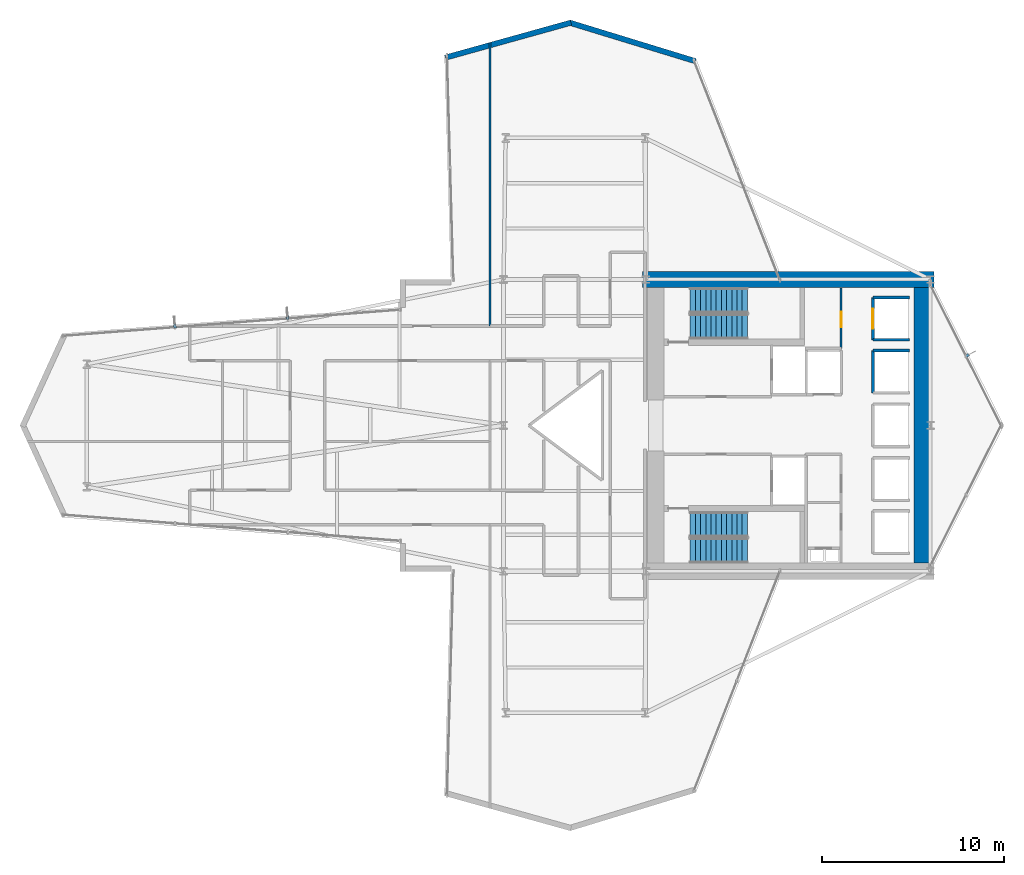
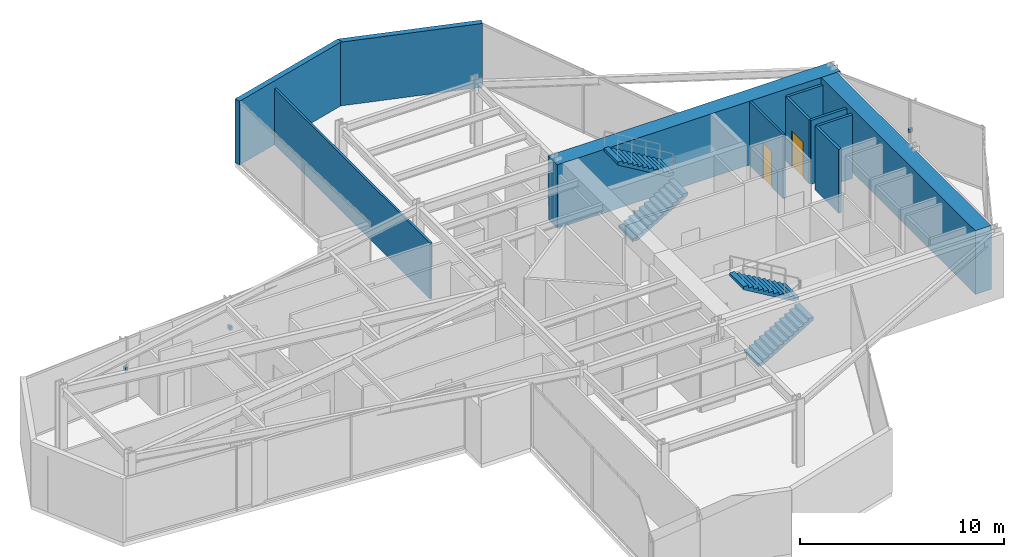
# One storey, part 29 of 30: 11 walls, 4 stair flights, 3 discrete accessories, 2 doors, 2 openings, 2 elements without a shape of their own.
"""IFC4 building model written with IfcOpenShell, lengths in metres."""

from ifc_helpers import new_model, si_unit, direction, frame, frame_2d, origin, origin_2d, place, context, subcontext, project, spatial, polyline, rectangle, outline, extrude, material, layer, layer_set, type_object, element, fill, aggregate, save


model = new_model("IFC4")

# Units and contexts
model_context = context("Model", 3, precision=1e-05, world=origin(), true_north=direction((0.0, 1.0)))
body_context = subcontext(model_context, "Body", "Model", "MODEL_VIEW")
ifc_project = project(units=[si_unit("LENGTHUNIT", "METRE"), si_unit("AREAUNIT", "SQUARE_METRE"), si_unit("VOLUMEUNIT", "CUBIC_METRE"), si_unit("PLANEANGLEUNIT", "RADIAN"), si_unit("MASSUNIT", "GRAM", prefix="KILO")], contexts=[model_context])

# Site, building, storey
site_placement = place(None, origin())
site = spatial("IfcSite", under=ifc_project, at=site_placement, CompositionType="ELEMENT")
building_placement = place(site_placement, origin())
building = spatial("IfcBuilding", under=site, at=building_placement, Name="Veymaron Broadcast Tower", CompositionType="ELEMENT")
storey_placement = place(building_placement, frame((0.0, 0.0, 49.949951171875)))
storey = spatial("IfcBuildingStorey", under=building, at=storey_placement, Name="L10", CompositionType="ELEMENT", Elevation=49.949951171875)

# Walls
ifc_material_1 = material(Name="Precast concrete C40/50 with mineral-wool insulation", Category="concrete")
ifc_layer_1 = layer(ifc_material_1, 0.300048828125)
ifc_layer_set_1 = layer_set([ifc_layer_1], Name="Precast concrete C40/50 with mineral-wool insulation")
wall_type_1 = type_object("IfcWallType", Name="WALL-EXT-300", PredefinedType="STANDARD", material=ifc_layer_set_1)
wall_1_placement = place(storey_placement, frame((41.71142578125, 43.97021484375, 0.0), z_axis=(0.0, 0.0, 1.0), x_axis=(-0.956174816369, 0.292796380685, 0.0)))
element("IfcWall", 1, at=wall_1_placement, inside=storey, type_object=wall_type_1, Name="L10 notched corner facade pier 6-1", PredefinedType="STANDARD", context=body_context, shape_type="SweptSolid", body=[
    extrude(rectangle(XDim=7.212646484375, YDim=0.300048828125, at=frame_2d((3.6064453125, 0.0))), origin(), (0.0, 0.0, 1.0), 3.81005859375),
])
wall_2_placement = place(storey_placement, frame((34.8935546875, 46.0810546875, 0.0), z_axis=(0.0, 0.0, 1.0), x_axis=(-0.963365312104, -0.268192608836, 0.0)))
element("IfcWall", 2, at=wall_2_placement, inside=storey, type_object=wall_type_1, Name="L10 notched corner facade pier 7-1", PredefinedType="STANDARD", context=body_context, shape_type="SweptSolid", body=[
    extrude(rectangle(XDim=7.15869140625, YDim=0.300048828125, at=frame_2d((3.579345703125, 0.0))), origin(), (0.0, 0.0, 1.0), 3.81005859375),
])

# Wall, opening, door
ifc_material_2 = material(Name="Gypsum fireboard and steel stud framing", Category="steel")
ifc_layer_2 = layer(ifc_material_2, 0.14990234375)
ifc_layer_set_2 = layer_set([ifc_layer_2], Name="Gypsum fireboard and steel stud framing")
wall_type_2 = type_object("IfcWallType", Name="WALL-FIRE-150", PredefinedType="PARTITIONING", material=ifc_layer_set_2)
wall_3_placement = place(storey_placement, frame((51.445068359375, 28.68994140625, 0.0), z_axis=(0.0, 0.0, 1.0), x_axis=(0.0, 1.0, 0.0)))
wall_3 = element("IfcWall", 3, at=wall_3_placement, inside=storey, type_object=wall_type_2, Name="L10 partition IW-L10-SHW-PL1", PredefinedType="PARTITIONING", context=body_context, shape_type="SweptSolid", body=[
    extrude(rectangle(XDim=2.320068359375, YDim=0.14990234375, at=frame_2d((1.16015625, 0.0))), origin(), (0.0, 0.0, 1.0), 3.81005859375),
])
opening_1_placement = place(wall_3_placement, frame((0.610107421875, 0.0, 0.0)))
opening_1 = element("IfcOpeningElement", 4, at=opening_1_placement, cuts=wall_3, Name="Opening LD", PredefinedType="OPENING", context=body_context, shape_type="SweptSolid", body=[
    extrude(rectangle(XDim=1.10009765625, YDim=2.14990234375, at=frame_2d((0.550048828125, 1.074951171875))), frame((0.0, 0.0849609375, 0.0), z_axis=(0.0, -1.0, 0.0), x_axis=(1.0, 0.0, 0.0)), (0.0, 0.0, 1.0), 0.169921875),
])
ifc_material_3 = material(Name="Brushed stainless steel AISI 304", Category="steel")
door_type_1 = type_object("IfcDoorType", Name="DOOR-LIFT-1100", OperationType="DOUBLE_DOOR_SLIDING", PredefinedType="DOOR", material=ifc_material_3)
door_1_placement = place(opening_1_placement, frame((1.10009765625, 0.0, 0.0), z_axis=(0.0, 0.0, 1.0), x_axis=(-1.0, 0.0, 0.0)))
door_1 = element("IfcDoor", 5, at=door_1_placement, inside=storey, type_object=door_type_1, Name="L10 door LD-L10-PL1", OperationType="DOUBLE_DOOR_SLIDING", OverallHeight=2.14990234375, OverallWidth=1.10009765625, PredefinedType="DOOR", context=body_context, shape_type="SweptSolid", body=[
    extrude(rectangle(XDim=1.10009765625, YDim=2.14990234375, at=frame_2d((0.550048828125, 1.074951171875))), frame((0.0, 0.02490234375, 0.0), z_axis=(0.0, -1.0, 0.0), x_axis=(1.0, 0.0, 0.0)), (0.0, 0.0, 1.0), 0.050048828125),
])
fill(opening_1, door_1)

# Walls
for number, where, z_axis, x_axis, name in (
    (6, (51.445068359375, 28.68994140625, 0.0), (0.0, 0.0, 1.0), (1.0, 0.0, 0.0), "L10 partition IW-L10-SHS-PL1"),
    (7, (51.445068359375, 31.010009765625, 0.0), (0.0, 0.0, 1.0), (1.0, 0.0, 0.0), "L10 partition IW-L10-SHN-PL1"),
):
    element("IfcWall", number, at=place(storey_placement, frame(where, z_axis=z_axis, x_axis=x_axis)), inside=storey, type_object=wall_type_2, Name=name, PredefinedType="PARTITIONING", context=body_context, shape_type="SweptSolid", body=[
        extrude(rectangle(XDim=2.014892578125, YDim=0.14990234375, at=frame_2d((1.00732421875, 0.0))), origin(), (0.0, 0.0, 1.0), 3.81005859375),
    ])
wall_4_placement = place(storey_placement, frame((51.445068359375, 25.7900390625, 0.0), z_axis=(0.0, 0.0, 1.0), x_axis=(0.0, 1.0, 0.0)))
element("IfcWall", 8, at=wall_4_placement, inside=storey, type_object=wall_type_2, Name="L10 partition IW-L10-SHW-PM1", PredefinedType="PARTITIONING", context=body_context, shape_type="SweptSolid", body=[
    extrude(rectangle(XDim=2.320068359375, YDim=0.14990234375, at=frame_2d((1.16015625, 0.0))), origin(), (0.0, 0.0, 1.0), 3.81005859375),
])
wall_5_placement = place(storey_placement, frame((51.445068359375, 28.110107421875, 0.0), z_axis=(0.0, 0.0, 1.0), x_axis=(1.0, 0.0, 0.0)))
element("IfcWall", 9, at=wall_5_placement, inside=storey, type_object=wall_type_2, Name="L10 partition IW-L10-SHN-PM1", PredefinedType="PARTITIONING", context=body_context, shape_type="SweptSolid", body=[
    extrude(rectangle(XDim=2.014892578125, YDim=0.14990234375, at=frame_2d((1.00732421875, 0.0))), origin(), (0.0, 0.0, 1.0), 3.81005859375),
])

# Wall, opening, door
ifc_material_4 = material(Name="Acoustic gypsum board and galvanized stud", Category="gypsum")
ifc_layer_3 = layer(ifc_material_4, 0.1201171875)
ifc_layer_set_3 = layer_set([ifc_layer_3], Name="Acoustic gypsum board and galvanized stud")
wall_type_3 = type_object("IfcWallType", Name="WALL-PART-120", PredefinedType="PARTITIONING", material=ifc_layer_set_3)
wall_6_placement = place(storey_placement, frame((49.699951171875, 28.219970703125, 0.0), z_axis=(0.0, 0.0, 1.0), x_axis=(0.0, 1.0, 0.0)))
wall_6 = element("IfcWall", 10, at=wall_6_placement, inside=storey, type_object=wall_type_3, Name="L10 partition IW-L10-NM-E", PredefinedType="PARTITIONING", context=body_context, shape_type="SweptSolid", body=[
    extrude(rectangle(XDim=3.300048828125, YDim=0.1201171875, at=frame_2d((1.64990234375, 0.0))), origin(), (0.0, 0.0, 1.0), 3.81005859375),
])
opening_2_placement = place(wall_6_placement, frame((1.14990234375, 0.0, 0.0)))
opening_2 = element("IfcOpeningElement", 11, at=opening_2_placement, cuts=wall_6, Name="Opening ID-WC1", PredefinedType="OPENING", context=body_context, shape_type="SweptSolid", body=[
    extrude(rectangle(XDim=0.85009765625, YDim=2.14990234375, at=frame_2d((0.425048828125, 1.074951171875))), frame((0.0, 0.070068359375, 0.0), z_axis=(0.0, -1.0, 0.0), x_axis=(1.0, 0.0, 0.0)), (0.0, 0.0, 1.0), 0.14013671875),
])
ifc_material_5 = material(Name="Moisture-resistant high-pressure laminate timber", Category="wood")
door_type_2 = type_object("IfcDoorType", Name="DOOR-INT-850", OperationType="NOTDEFINED", PredefinedType="DOOR", material=ifc_material_5)
door_2_placement = place(opening_2_placement, frame((0.85009765625, 0.0, 0.0), z_axis=(0.0, 0.0, 1.0), x_axis=(-1.0, 0.0, 0.0)))
door_2 = element("IfcDoor", 12, at=door_2_placement, inside=storey, type_object=door_type_2, Name="L10 door DR-L10-NMR", OperationType="SINGLE_SWING_LEFT", OverallHeight=2.14990234375, OverallWidth=0.85009765625, PredefinedType="DOOR", context=body_context, shape_type="SweptSolid", body=[
    extrude(rectangle(XDim=0.85009765625, YDim=2.14990234375, at=frame_2d((0.425048828125, 1.074951171875))), frame((0.0, 0.02490234375, 0.0), z_axis=(0.0, -1.0, 0.0), x_axis=(1.0, 0.0, 0.0)), (0.0, 0.0, 1.0), 0.050048828125),
])
fill(opening_2, door_2)

# Walls
wall_7_placement = place(storey_placement, frame((30.458984375, 29.449951171875, 0.0), z_axis=(0.0, 0.0, 1.0), x_axis=(0.0, 1.0, 0.0)))
element("IfcWall", 13, at=wall_7_placement, inside=storey, type_object=wall_type_3, Name="L10 partition IW-L10-P46", PredefinedType="PARTITIONING", context=body_context, shape_type="SweptSolid", body=[
    extrude(rectangle(XDim=15.541748046875, YDim=0.1201171875, at=frame_2d((7.77099609375, 0.0))), origin(), (0.0, 0.0, 1.0), 3.338134765625),
])
ifc_material_6 = material(Name="Concrete C70/85", Category="concrete")
ifc_layer_4 = layer(ifc_material_6, 0.89990234375)
ifc_layer_set_4 = layer_set([ifc_layer_4], Name="Concrete C70/85")
wall_type_4 = type_object("IfcWallType", Name="WALL-SHEAR-900", PredefinedType="SHEAR", material=ifc_layer_set_4)
wall_8_placement = place(storey_placement, frame((38.800048828125, 32.0, 0.0), z_axis=(0.0, 0.0, 1.0), x_axis=(1.0, 0.0, 0.0)))
element("IfcWall", 14, at=wall_8_placement, inside=storey, type_object=wall_type_4, Name="L10 Core Wall north shear", PredefinedType="SHEAR", context=body_context, shape_type="SweptSolid", body=[
    extrude(rectangle(XDim=16.0, YDim=0.89990234375, at=frame_2d((8.0, 0.0))), origin(), (0.0, 0.0, 1.0), 3.81005859375),
])
wall_9_placement = place(storey_placement, frame((54.14990234375, 16.449951171875, 0.0), z_axis=(0.0, 0.0, 1.0), x_axis=(0.0, 1.0, 0.0)))
element("IfcWall", 15, at=wall_9_placement, inside=storey, type_object=wall_type_4, Name="L10 Core Wall east shear", PredefinedType="SHEAR", context=body_context, shape_type="SweptSolid", body=[
    extrude(rectangle(XDim=15.10009765625, YDim=0.89990234375, at=frame_2d((7.550048828125, 0.0))), origin(), (0.0, 0.0, 1.0), 3.81005859375),
])

# Stair, stair flights
ifc_material_7 = material(Name="Concrete C50/60", Category="concrete")
stair_type_1 = type_object("IfcStairType", Name="STAIR-CORE-1", PredefinedType="HALF_TURN_STAIR", material=ifc_material_7)
stair_1_placement = place(storey_placement, origin())
stair_1 = element("IfcStair", 16, at=stair_1_placement, inside=storey, type_object=stair_type_1, Name="L10 North protected dog-leg exit stair ST1", PredefinedType="HALF_TURN_STAIR")
ifc_material_8 = material(Name="Precast concrete C50/60", Category="concrete")
stair_flight_type = type_object("IfcStairFlightType", Name="FLT-CORE-RC", PredefinedType="STRAIGHT", material=ifc_material_8)
stair_flight_1_placement = place(storey_placement, frame((41.429931640625, 29.419921875, 0.0), z_axis=(0.0, 0.0, 1.0), x_axis=(1.0, 0.0, 0.0)))
stair_flight_1 = element("IfcStairFlight", 17, at=stair_flight_1_placement, type_object=stair_flight_type, Name="ST1 flight 1", NumberOfRisers=12, NumberOfTreads=11, PredefinedType="STRAIGHT", RiserHeight=0.16875, TreadLength=0.285, context=body_context, shape_type="SweptSolid", body=[
    extrude(outline(polyline([(0.0, 0.0), (0.0, 0.168701171875), (0.284912109375, 0.168701171875), (0.284912109375, 0.33740234375), (0.570068359375, 0.33740234375), (0.570068359375, 0.50634765625), (0.85498046875, 0.50634765625), (0.85498046875, 0.675048828125), (1.139892578125, 0.675048828125), (1.139892578125, 0.84375), (1.425048828125, 0.84375), (1.425048828125, 1.012451171875), (1.7099609375, 1.012451171875), (1.7099609375, 1.18115234375), (1.9951171875, 1.18115234375), (1.9951171875, 1.35009765625), (2.280029296875, 1.35009765625), (2.280029296875, 1.518798828125), (2.56494140625, 1.518798828125), (2.56494140625, 1.6875), (2.85009765625, 1.6875), (2.85009765625, 1.856201171875), (3.135009765625, 1.856201171875), (3.135009765625, 2.02490234375), (3.135009765625, 1.68212890625), (0.294189453125, 0.0), (0.0, 0.0)])), frame((0.0, 0.68994140625, 0.0), z_axis=(0.0, -1.0, 0.0), x_axis=(1.0, 0.0, 0.0)), (0.0, 0.0, 1.0), 1.3798828125),
])
stair_flight_2_placement = place(storey_placement, frame((44.56494140625, 30.860107421875, 2.025146484375), z_axis=(0.0, 0.0, 1.0), x_axis=(-1.0, 0.0, 0.0)))
stair_flight_2 = element("IfcStairFlight", 18, at=stair_flight_2_placement, type_object=stair_flight_type, Name="ST1 flight 2", NumberOfRisers=12, NumberOfTreads=11, PredefinedType="STRAIGHT", RiserHeight=0.16875, TreadLength=0.285, context=body_context, shape_type="SweptSolid", body=[
    extrude(outline(polyline([(0.0, 0.0), (0.0, 0.168701171875), (0.284912109375, 0.168701171875), (0.284912109375, 0.33740234375), (0.570068359375, 0.33740234375), (0.570068359375, 0.50634765625), (0.85498046875, 0.50634765625), (0.85498046875, 0.675048828125), (1.139892578125, 0.675048828125), (1.139892578125, 0.84375), (1.425048828125, 0.84375), (1.425048828125, 1.012451171875), (1.7099609375, 1.012451171875), (1.7099609375, 1.18115234375), (1.9951171875, 1.18115234375), (1.9951171875, 1.35009765625), (2.280029296875, 1.35009765625), (2.280029296875, 1.518798828125), (2.56494140625, 1.518798828125), (2.56494140625, 1.6875), (2.85009765625, 1.6875), (2.85009765625, 1.856201171875), (3.135009765625, 1.856201171875), (3.135009765625, 2.02490234375), (3.135009765625, 1.68212890625), (0.294189453125, 0.0), (0.0, 0.0)])), frame((0.0, 0.68994140625, 0.0), z_axis=(0.0, -1.0, 0.0), x_axis=(1.0, 0.0, 0.0)), (0.0, 0.0, 1.0), 1.3798828125),
])
aggregate(stair_1, [stair_flight_1, stair_flight_2])

stair_type_2 = type_object("IfcStairType", Name="STAIR-CORE-2", PredefinedType="HALF_TURN_STAIR", material=ifc_material_7)
stair_2_placement = place(storey_placement, origin())
stair_2 = element("IfcStair", 19, at=stair_2_placement, inside=storey, type_object=stair_type_2, Name="L10 South protected dog-leg exit stair ST2", PredefinedType="HALF_TURN_STAIR")
stair_flight_3_placement = place(storey_placement, frame((41.429931640625, 17.139892578125, 0.0), z_axis=(0.0, 0.0, 1.0), x_axis=(1.0, 0.0, 0.0)))
stair_flight_3 = element("IfcStairFlight", 20, at=stair_flight_3_placement, type_object=stair_flight_type, Name="ST2 flight 1", NumberOfRisers=12, NumberOfTreads=11, PredefinedType="STRAIGHT", RiserHeight=0.16875, TreadLength=0.285, context=body_context, shape_type="SweptSolid", body=[
    extrude(outline(polyline([(0.0, 0.0), (0.0, 0.168701171875), (0.284912109375, 0.168701171875), (0.284912109375, 0.33740234375), (0.570068359375, 0.33740234375), (0.570068359375, 0.50634765625), (0.85498046875, 0.50634765625), (0.85498046875, 0.675048828125), (1.139892578125, 0.675048828125), (1.139892578125, 0.84375), (1.425048828125, 0.84375), (1.425048828125, 1.012451171875), (1.7099609375, 1.012451171875), (1.7099609375, 1.18115234375), (1.9951171875, 1.18115234375), (1.9951171875, 1.35009765625), (2.280029296875, 1.35009765625), (2.280029296875, 1.518798828125), (2.56494140625, 1.518798828125), (2.56494140625, 1.6875), (2.85009765625, 1.6875), (2.85009765625, 1.856201171875), (3.135009765625, 1.856201171875), (3.135009765625, 2.02490234375), (3.135009765625, 1.68212890625), (0.294189453125, 0.0), (0.0, 0.0)])), frame((0.0, 0.68994140625, 0.0), z_axis=(0.0, -1.0, 0.0), x_axis=(1.0, 0.0, 0.0)), (0.0, 0.0, 1.0), 1.3798828125),
])
stair_flight_4_placement = place(storey_placement, frame((44.56494140625, 18.580078125, 2.025146484375), z_axis=(0.0, 0.0, 1.0), x_axis=(-1.0, 0.0, 0.0)))
stair_flight_4 = element("IfcStairFlight", 21, at=stair_flight_4_placement, type_object=stair_flight_type, Name="ST2 flight 2", NumberOfRisers=12, NumberOfTreads=11, PredefinedType="STRAIGHT", RiserHeight=0.16875, TreadLength=0.285, context=body_context, shape_type="SweptSolid", body=[
    extrude(outline(polyline([(0.0, 0.0), (0.0, 0.168701171875), (0.284912109375, 0.168701171875), (0.284912109375, 0.33740234375), (0.570068359375, 0.33740234375), (0.570068359375, 0.50634765625), (0.85498046875, 0.50634765625), (0.85498046875, 0.675048828125), (1.139892578125, 0.675048828125), (1.139892578125, 0.84375), (1.425048828125, 0.84375), (1.425048828125, 1.012451171875), (1.7099609375, 1.012451171875), (1.7099609375, 1.18115234375), (1.9951171875, 1.18115234375), (1.9951171875, 1.35009765625), (2.280029296875, 1.35009765625), (2.280029296875, 1.518798828125), (2.56494140625, 1.518798828125), (2.56494140625, 1.6875), (2.85009765625, 1.6875), (2.85009765625, 1.856201171875), (3.135009765625, 1.856201171875), (3.135009765625, 2.02490234375), (3.135009765625, 1.68212890625), (0.294189453125, 0.0), (0.0, 0.0)])), frame((0.0, 0.68994140625, 0.0), z_axis=(0.0, -1.0, 0.0), x_axis=(1.0, 0.0, 0.0)), (0.0, 0.0, 1.0), 1.3798828125),
])
aggregate(stair_2, [stair_flight_3, stair_flight_4])

# Discrete accessories
ifc_material_9 = material(Name="Austenitic stainless steel AISI 316L", Category="steel")
ifc_layer_5 = layer(ifc_material_9, 0.1201171875)
ifc_layer_set_5 = layer_set([ifc_layer_5], Name="Austenitic stainless steel AISI 316L")
discrete_accessory_type = type_object("IfcDiscreteAccessoryType", Name="ACC-BRKT-SS1", PredefinedType="BRACKET", material=ifc_layer_set_5)
for number, where, z_axis, x_axis, name in (
    (22, (56.609130859375, 27.836181640625, 1.794921875), (0.0, 0.0, 1.0), (0.892994654267, 0.450067269918, 0.0), "CW-L10-E3-1 fin bracket 1"),
    (23, (19.358154296875, 29.91748046875, 1.794921875), (0.0, 0.0, 1.0), (-0.07729327653, 0.997008399866, 0.0), "CW-L10-E11-1 fin bracket 1"),
    (24, (13.18212890625, 29.438720703125, 1.794921875), (0.0, 0.0, 1.0), (-0.07729327653, 0.997008399866, 0.0), "CW-L10-E11-1 fin bracket 2"),
):
    element("IfcDiscreteAccessory", number, at=place(storey_placement, frame(where, z_axis=z_axis, x_axis=x_axis)), inside=storey, type_object=discrete_accessory_type, Name=name, PredefinedType="BRACKET", context=body_context, shape_type="SweptSolid", body=[
        extrude(rectangle(XDim=0.219970703125, YDim=0.139892578125, at=origin_2d()), origin(), (0.0, 0.0, 1.0), 0.219970703125),
    ])

save(model, "model.ifc")
